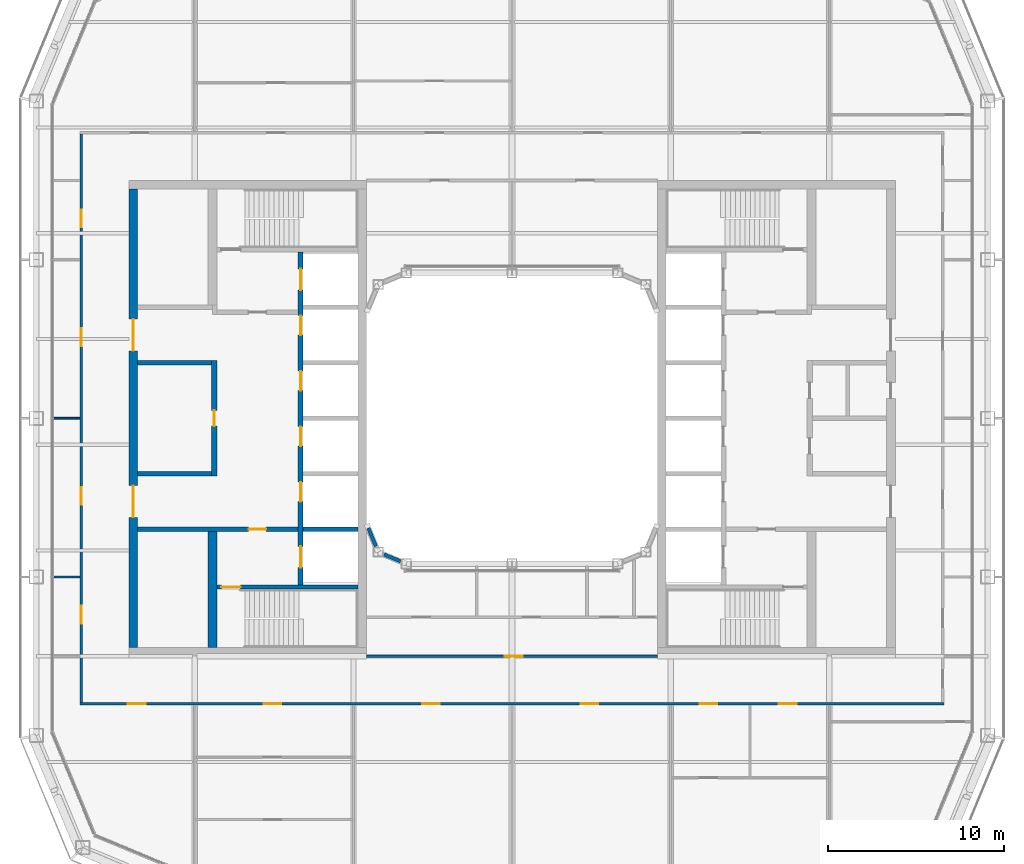
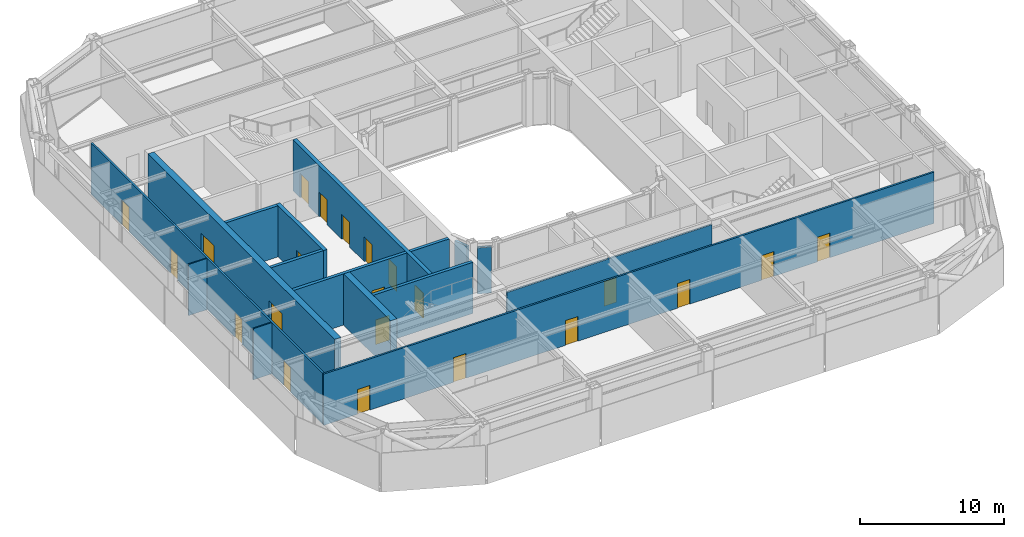
# One storey, part 12 of 19: 22 doors, 16 walls, 22 openings.
"""IFC4 building model written with IfcOpenShell, lengths in metres."""

from ifc_helpers import new_model, si_unit, direction, frame, frame_2d, origin, place, context, subcontext, project, spatial, rectangle, extrude, material, layer, layer_set, type_object, element, fill, save


model = new_model("IFC4")

# Units and contexts
model_context = context("Model", 3, precision=1e-05, world=origin(), true_north=direction((0.0, 1.0)))
body_context = subcontext(model_context, "Body", "Model", "MODEL_VIEW")
ifc_project = project(units=[si_unit("LENGTHUNIT", "METRE"), si_unit("AREAUNIT", "SQUARE_METRE"), si_unit("VOLUMEUNIT", "CUBIC_METRE"), si_unit("PLANEANGLEUNIT", "RADIAN"), si_unit("MASSUNIT", "GRAM", prefix="KILO")], contexts=[model_context])

# Site, building, storey
site_placement = place(None, origin())
site = spatial("IfcSite", under=ifc_project, at=site_placement, CompositionType="ELEMENT")
building_placement = place(site_placement, origin())
building = spatial("IfcBuilding", under=site, at=building_placement, Name="Siwar Civic Tower", CompositionType="ELEMENT")
storey_placement = place(building_placement, frame((0.0, 0.0, 264.699951171875)))
storey = spatial("IfcBuildingStorey", under=building, at=storey_placement, Name="L57", CompositionType="ELEMENT", Elevation=264.699951171875)

# Wall, opening, door
ifc_material_1 = material(Name="Concrete C60/75", Category="concrete")
ifc_layer_1 = layer(ifc_material_1, 0.25)
ifc_layer_set_1 = layer_set([ifc_layer_1], Name="Concrete C60/75")
wall_type_1 = type_object("IfcWallType", Name="CORE-WALL-RC250", PredefinedType="SHEAR", material=ifc_layer_set_1)
wall_1_placement = place(storey_placement, frame((-12.14990234375, -6.300048828125, 0.0), z_axis=(0.0, 0.0, 1.0), x_axis=(-1.0, 0.0, 0.0)))
wall_1 = element("IfcWall", 1, at=wall_1_placement, inside=storey, type_object=wall_type_1, Name="Core wall W", PredefinedType="SHEAR", context=body_context, shape_type="SweptSolid", body=[
    extrude(rectangle(XDim=9.10009765625, YDim=0.25, at=frame_2d((4.550048828125, 0.0))), origin(), (0.0, 0.0, 1.0), 4.35009765625),
])
opening_1_placement = place(wall_1_placement, frame((1.800048828125, 0.0, 0.0)))
opening_1 = element("IfcOpeningElement", 2, at=opening_1_placement, cuts=wall_1, Name="Opening L57-CW02", PredefinedType="OPENING", context=body_context, shape_type="SweptSolid", body=[
    extrude(rectangle(XDim=1.0, YDim=2.10009765625, at=frame_2d((0.5, 1.050048828125))), frame((0.0, 0.135009765625, 0.0), z_axis=(0.0, -1.0, 0.0), x_axis=(1.0, 0.0, 0.0)), (0.0, 0.0, 1.0), 0.27001953125),
])
ifc_material_2 = material(Name="Steel door leaf", Category="steel")
door_type_1 = type_object("IfcDoorType", Name="CORE-DOOR-FD30S", OperationType="SINGLE_SWING_LEFT", PredefinedType="DOOR", material=ifc_material_2)
door_1_placement = place(opening_1_placement, origin())
door_1 = element("IfcDoor", 3, at=door_1_placement, inside=storey, type_object=door_type_1, Name="Service lobby door L57-CW02", OperationType="SINGLE_SWING_RIGHT", OverallHeight=2.10009765625, OverallWidth=1.0, PredefinedType="DOOR", context=body_context, shape_type="SweptSolid", body=[
    extrude(rectangle(XDim=1.0, YDim=2.10009765625, at=frame_2d((0.5, 1.050048828125))), frame((0.0, 0.02490234375, 0.0), z_axis=(0.0, -1.0, 0.0), x_axis=(1.0, 0.0, 0.0)), (0.0, 0.0, 1.0), 0.050048828125),
])
fill(opening_1, door_1)

# Walls
for number, where, z_axis, x_axis, name in (
    (4, (-17.050048828125, 3.14990234375, 0.0), (0.0, 0.0, 1.0), (-1.0, 0.0, 0.0), "Core wall W"),
    (5, (-17.050048828125, -3.14990234375, 0.0), (0.0, 0.0, 1.0), (-1.0, 0.0, 0.0), "Core wall W"),
):
    element("IfcWall", number, at=place(storey_placement, frame(where, z_axis=z_axis, x_axis=x_axis)), inside=storey, type_object=wall_type_1, Name=name, PredefinedType="SHEAR", context=body_context, shape_type="SweptSolid", body=[
        extrude(rectangle(XDim=4.199951171875, YDim=0.25, at=frame_2d((2.10009765625, 0.0))), origin(), (0.0, 0.0, 1.0), 4.35009765625),
    ])
wall_2_placement = place(storey_placement, frame((-8.75, -6.300048828125, 0.0), z_axis=(0.0, 0.0, 1.0), x_axis=(-1.0, 0.0, 0.0)))
element("IfcWall", 6, at=wall_2_placement, inside=storey, type_object=wall_type_1, Name="Core wall W", PredefinedType="SHEAR", context=body_context, shape_type="SweptSolid", body=[
    extrude(rectangle(XDim=3.10009765625, YDim=0.25, at=frame_2d((1.550048828125, 0.0))), origin(), (0.0, 0.0, 1.0), 4.35009765625),
])

# Wall, opening, door
wall_3_placement = place(storey_placement, frame((-8.75, -9.574951171875, 0.0), z_axis=(0.0, 0.0, 1.0), x_axis=(-1.0, 0.0, 0.0)))
wall_3 = element("IfcWall", 7, at=wall_3_placement, inside=storey, type_object=wall_type_1, Name="Core wall W", PredefinedType="SHEAR", context=body_context, shape_type="SweptSolid", body=[
    extrude(rectangle(XDim=8.0, YDim=0.25, at=frame_2d((4.0, 0.0))), origin(), (0.0, 0.0, 1.0), 4.35009765625),
])
opening_2_placement = place(wall_3_placement, frame((6.64990234375, 0.0, 0.0)))
opening_2 = element("IfcOpeningElement", 8, at=opening_2_placement, cuts=wall_3, Name="Opening L57-CW04", PredefinedType="OPENING", context=body_context, shape_type="SweptSolid", body=[
    extrude(rectangle(XDim=1.10009765625, YDim=2.10009765625, at=frame_2d((0.550048828125, 1.050048828125))), frame((0.0, 0.135009765625, 0.0), z_axis=(0.0, -1.0, 0.0), x_axis=(1.0, 0.0, 0.0)), (0.0, 0.0, 1.0), 0.27001953125),
])
ifc_material_3 = material(Name="Steel door leaf", Category="steel")
door_type_2 = type_object("IfcDoorType", Name="CORE-DOOR-FD60S", OperationType="SINGLE_SWING_LEFT", PredefinedType="DOOR", material=ifc_material_3)
door_2_placement = place(opening_2_placement, origin())
door_2 = element("IfcDoor", 9, at=door_2_placement, inside=storey, type_object=door_type_2, Name="Stair door L57-CW04", OperationType="SINGLE_SWING_LEFT", OverallHeight=2.10009765625, OverallWidth=1.10009765625, PredefinedType="DOOR", context=body_context, shape_type="SweptSolid", body=[
    extrude(rectangle(XDim=1.10009765625, YDim=2.10009765625, at=frame_2d((0.550048828125, 1.050048828125))), frame((0.0, 0.02490234375, 0.0), z_axis=(0.0, -1.0, 0.0), x_axis=(1.0, 0.0, 0.0)), (0.0, 0.0, 1.0), 0.050048828125),
])
fill(opening_2, door_2)

# Wall, openings, doors
ifc_material_4 = material(Name="Concrete C60/75", Category="concrete")
ifc_layer_2 = layer(ifc_material_4, 0.300048828125)
ifc_layer_set_2 = layer_set([ifc_layer_2], Name="Concrete C60/75")
wall_type_2 = type_object("IfcWallType", Name="CORE-WALL-RC300", PredefinedType="SHEAR", material=ifc_layer_set_2)
wall_4_placement = place(storey_placement, frame((-12.0, -9.449951171875, 0.0), z_axis=(0.0, 0.0, 1.0), x_axis=(0.0, 1.0, 0.0)))
wall_4 = element("IfcWall", 10, at=wall_4_placement, inside=storey, type_object=wall_type_2, Name="Core wall W", PredefinedType="SHEAR", context=body_context, shape_type="SweptSolid", body=[
    extrude(rectangle(XDim=18.89990234375, YDim=0.300048828125, at=frame_2d((9.449951171875, 0.0))), origin(), (0.0, 0.0, 1.0), 4.35009765625),
])
opening_3_placement = place(wall_4_placement, frame((4.72509765625, 0.0, 0.0)))
opening_3 = element("IfcOpeningElement", 11, at=opening_3_placement, cuts=wall_4, Name="Opening L57-CW07", PredefinedType="OPENING", context=body_context, shape_type="SweptSolid", body=[
    extrude(rectangle(XDim=1.10009765625, YDim=2.10009765625, at=frame_2d((0.550048828125, 1.050048828125))), frame((0.0, 0.16015625, 0.0), z_axis=(0.0, -1.0, 0.0), x_axis=(1.0, 0.0, 0.0)), (0.0, 0.0, 1.0), 0.320068359375),
])
opening_4_placement = place(wall_4_placement, frame((7.875, 0.0, 0.0)))
opening_4 = element("IfcOpeningElement", 12, at=opening_4_placement, cuts=wall_4, Name="Opening L57-CW08", PredefinedType="OPENING", context=body_context, shape_type="SweptSolid", body=[
    extrude(rectangle(XDim=1.10009765625, YDim=2.10009765625, at=frame_2d((0.550048828125, 1.050048828125))), frame((0.0, 0.16015625, 0.0), z_axis=(0.0, -1.0, 0.0), x_axis=(1.0, 0.0, 0.0)), (0.0, 0.0, 1.0), 0.320068359375),
])
opening_5_placement = place(wall_4_placement, frame((11.02490234375, 0.0, 0.0)))
opening_5 = element("IfcOpeningElement", 13, at=opening_5_placement, cuts=wall_4, Name="Opening L57-CW09", PredefinedType="OPENING", context=body_context, shape_type="SweptSolid", body=[
    extrude(rectangle(XDim=1.10009765625, YDim=2.10009765625, at=frame_2d((0.550048828125, 1.050048828125))), frame((0.0, 0.16015625, 0.0), z_axis=(0.0, -1.0, 0.0), x_axis=(1.0, 0.0, 0.0)), (0.0, 0.0, 1.0), 0.320068359375),
])
opening_6_placement = place(wall_4_placement, frame((14.175048828125, 0.0, 0.0)))
opening_6 = element("IfcOpeningElement", 14, at=opening_6_placement, cuts=wall_4, Name="Opening L57-CW10", PredefinedType="OPENING", context=body_context, shape_type="SweptSolid", body=[
    extrude(rectangle(XDim=1.10009765625, YDim=2.10009765625, at=frame_2d((0.550048828125, 1.050048828125))), frame((0.0, 0.16015625, 0.0), z_axis=(0.0, -1.0, 0.0), x_axis=(1.0, 0.0, 0.0)), (0.0, 0.0, 1.0), 0.320068359375),
])
opening_7_placement = place(wall_4_placement, frame((16.72509765625, 0.0, 0.0)))
opening_7 = element("IfcOpeningElement", 15, at=opening_7_placement, cuts=wall_4, Name="Opening L57-CW11", PredefinedType="OPENING", context=body_context, shape_type="SweptSolid", body=[
    extrude(rectangle(XDim=1.199951171875, YDim=2.10009765625, at=frame_2d((0.60009765625, 1.050048828125))), frame((0.0, 0.16015625, 0.0), z_axis=(0.0, -1.0, 0.0), x_axis=(1.0, 0.0, 0.0)), (0.0, 0.0, 1.0), 0.320068359375),
])
opening_8_placement = place(wall_4_placement, frame((0.97509765625, 0.0, 0.0)))
opening_8 = element("IfcOpeningElement", 16, at=opening_8_placement, cuts=wall_4, Name="Opening L57-CW12", PredefinedType="OPENING", context=body_context, shape_type="SweptSolid", body=[
    extrude(rectangle(XDim=1.199951171875, YDim=2.10009765625, at=frame_2d((0.60009765625, 1.050048828125))), frame((0.0, 0.16015625, 0.0), z_axis=(0.0, -1.0, 0.0), x_axis=(1.0, 0.0, 0.0)), (0.0, 0.0, 1.0), 0.320068359375),
])
ifc_material_5 = material(Name="Steel door leaf", Category="steel")
door_type_3 = type_object("IfcDoorType", Name="CORE-DOOR-LD", OperationType="DOUBLE_DOOR_SLIDING", PredefinedType="DOOR", material=ifc_material_5)
door_3_placement = place(opening_3_placement, origin())
door_3 = element("IfcDoor", 17, at=door_3_placement, inside=storey, type_object=door_type_3, Name="Landing door HR1 L57-CW07", OperationType="DOUBLE_DOOR_SLIDING", OverallHeight=2.10009765625, OverallWidth=1.10009765625, PredefinedType="DOOR", context=body_context, shape_type="SweptSolid", body=[
    extrude(rectangle(XDim=1.10009765625, YDim=2.10009765625, at=frame_2d((0.550048828125, 1.050048828125))), frame((0.0, 0.02490234375, 0.0), z_axis=(0.0, -1.0, 0.0), x_axis=(1.0, 0.0, 0.0)), (0.0, 0.0, 1.0), 0.050048828125),
])
fill(opening_3, door_3)
door_4_placement = place(opening_4_placement, origin())
door_4 = element("IfcDoor", 18, at=door_4_placement, inside=storey, type_object=door_type_3, Name="Landing door HR2 L57-CW08", OperationType="DOUBLE_DOOR_SLIDING", OverallHeight=2.10009765625, OverallWidth=1.10009765625, PredefinedType="DOOR", context=body_context, shape_type="SweptSolid", body=[
    extrude(rectangle(XDim=1.10009765625, YDim=2.10009765625, at=frame_2d((0.550048828125, 1.050048828125))), frame((0.0, 0.02490234375, 0.0), z_axis=(0.0, -1.0, 0.0), x_axis=(1.0, 0.0, 0.0)), (0.0, 0.0, 1.0), 0.050048828125),
])
fill(opening_4, door_4)
door_5_placement = place(opening_5_placement, origin())
door_5 = element("IfcDoor", 19, at=door_5_placement, inside=storey, type_object=door_type_3, Name="Landing door HR3 L57-CW09", OperationType="DOUBLE_DOOR_SLIDING", OverallHeight=2.10009765625, OverallWidth=1.10009765625, PredefinedType="DOOR", context=body_context, shape_type="SweptSolid", body=[
    extrude(rectangle(XDim=1.10009765625, YDim=2.10009765625, at=frame_2d((0.550048828125, 1.050048828125))), frame((0.0, 0.02490234375, 0.0), z_axis=(0.0, -1.0, 0.0), x_axis=(1.0, 0.0, 0.0)), (0.0, 0.0, 1.0), 0.050048828125),
])
fill(opening_5, door_5)
door_6_placement = place(opening_6_placement, origin())
door_6 = element("IfcDoor", 20, at=door_6_placement, inside=storey, type_object=door_type_3, Name="Landing door HR4 L57-CW10", OperationType="DOUBLE_DOOR_SLIDING", OverallHeight=2.10009765625, OverallWidth=1.10009765625, PredefinedType="DOOR", context=body_context, shape_type="SweptSolid", body=[
    extrude(rectangle(XDim=1.10009765625, YDim=2.10009765625, at=frame_2d((0.550048828125, 1.050048828125))), frame((0.0, 0.02490234375, 0.0), z_axis=(0.0, -1.0, 0.0), x_axis=(1.0, 0.0, 0.0)), (0.0, 0.0, 1.0), 0.050048828125),
])
fill(opening_6, door_6)
ifc_material_6 = material(Name="Steel door leaf", Category="steel")
door_type_4 = type_object("IfcDoorType", Name="CORE-DOOR-LDW", OperationType="DOUBLE_DOOR_SLIDING", PredefinedType="DOOR", material=ifc_material_6)
door_7_placement = place(opening_7_placement, origin())
door_7 = element("IfcDoor", 21, at=door_7_placement, inside=storey, type_object=door_type_4, Name="Landing door FF1 L57-CW11", OperationType="DOUBLE_DOOR_SLIDING", OverallHeight=2.10009765625, OverallWidth=1.199951171875, PredefinedType="DOOR", context=body_context, shape_type="SweptSolid", body=[
    extrude(rectangle(XDim=1.199951171875, YDim=2.10009765625, at=frame_2d((0.60009765625, 1.050048828125))), frame((0.0, 0.02490234375, 0.0), z_axis=(0.0, -1.0, 0.0), x_axis=(1.0, 0.0, 0.0)), (0.0, 0.0, 1.0), 0.050048828125),
])
fill(opening_7, door_7)
door_8_placement = place(opening_8_placement, origin())
door_8 = element("IfcDoor", 22, at=door_8_placement, inside=storey, type_object=door_type_4, Name="Landing door SV1 L57-CW12", OperationType="DOUBLE_DOOR_SLIDING", OverallHeight=2.10009765625, OverallWidth=1.199951171875, PredefinedType="DOOR", context=body_context, shape_type="SweptSolid", body=[
    extrude(rectangle(XDim=1.199951171875, YDim=2.10009765625, at=frame_2d((0.60009765625, 1.050048828125))), frame((0.0, 0.02490234375, 0.0), z_axis=(0.0, -1.0, 0.0), x_axis=(1.0, 0.0, 0.0)), (0.0, 0.0, 1.0), 0.050048828125),
])
fill(opening_8, door_8)

# Wall, opening, door
wall_5_placement = place(storey_placement, frame((-16.89990234375, -3.27490234375, 0.0), z_axis=(0.0, 0.0, 1.0), x_axis=(0.0, 1.0, 0.0)))
wall_5 = element("IfcWall", 23, at=wall_5_placement, inside=storey, type_object=wall_type_2, Name="Core wall W", PredefinedType="SHEAR", context=body_context, shape_type="SweptSolid", body=[
    extrude(rectangle(XDim=6.5498046875, YDim=0.300048828125, at=frame_2d((3.27490234375, 0.0))), origin(), (0.0, 0.0, 1.0), 4.35009765625),
])
opening_9_placement = place(wall_5_placement, frame((2.824951171875, 0.0, 0.0)))
opening_9 = element("IfcOpeningElement", 24, at=opening_9_placement, cuts=wall_5, Name="Opening L57-CW13", PredefinedType="OPENING", context=body_context, shape_type="SweptSolid", body=[
    extrude(rectangle(XDim=0.89990234375, YDim=2.10009765625, at=frame_2d((0.449951171875, 1.050048828125))), frame((0.0, 0.16015625, 0.0), z_axis=(0.0, -1.0, 0.0), x_axis=(1.0, 0.0, 0.0)), (0.0, 0.0, 1.0), 0.320068359375),
])
ifc_material_7 = material(Name="Steel door leaf", Category="steel")
door_type_5 = type_object("IfcDoorType", Name="CORE-DOOR-ROOM", OperationType="SINGLE_SWING_LEFT", PredefinedType="DOOR", material=ifc_material_7)
door_9_placement = place(opening_9_placement, origin())
door_9 = element("IfcDoor", 25, at=door_9_placement, inside=storey, type_object=door_type_5, Name="Core room door L57-CW13", OperationType="SINGLE_SWING_RIGHT", OverallHeight=2.10009765625, OverallWidth=0.89990234375, PredefinedType="DOOR", context=body_context, shape_type="SweptSolid", body=[
    extrude(rectangle(XDim=0.89990234375, YDim=2.10009765625, at=frame_2d((0.449951171875, 1.050048828125))), frame((0.0, 0.02490234375, 0.0), z_axis=(0.0, -1.0, 0.0), x_axis=(1.0, 0.0, 0.0)), (0.0, 0.0, 1.0), 0.050048828125),
])
fill(opening_9, door_9)

# Wall, openings, doors
ifc_material_8 = material(Name="Concrete C60/75", Category="concrete")
ifc_layer_3 = layer(ifc_material_8, 0.5)
ifc_layer_set_3 = layer_set([ifc_layer_3], Name="Concrete C60/75")
wall_type_3 = type_object("IfcWallType", Name="CORE-WALL-RC500", PredefinedType="SHEAR", material=ifc_layer_set_3)
wall_6_placement = place(storey_placement, frame((-21.5, -13.0, 0.0), z_axis=(0.0, 0.0, 1.0), x_axis=(0.0, 1.0, 0.0)))
wall_6 = element("IfcWall", 26, at=wall_6_placement, inside=storey, type_object=wall_type_3, Name="Core wall W", PredefinedType="SHEAR", context=body_context, shape_type="SweptSolid", body=[
    extrude(rectangle(XDim=26.0, YDim=0.5, at=frame_2d((13.0, 0.0))), origin(), (0.0, 0.0, 1.0), 4.35009765625),
])
opening_10_placement = place(wall_6_placement, frame((16.824951171875, 0.0, 0.0)))
opening_10 = element("IfcOpeningElement", 27, at=opening_10_placement, cuts=wall_6, Name="Opening L57-CW05", PredefinedType="OPENING", context=body_context, shape_type="SweptSolid", body=[
    extrude(rectangle(XDim=1.800048828125, YDim=2.10009765625, at=frame_2d((0.89990234375, 1.050048828125))), frame((0.0, 0.260009765625, 0.0), z_axis=(0.0, -1.0, 0.0), x_axis=(1.0, 0.0, 0.0)), (0.0, 0.0, 1.0), 0.52001953125),
])
opening_11_placement = place(wall_6_placement, frame((7.375, 0.0, 0.0)))
opening_11 = element("IfcOpeningElement", 28, at=opening_11_placement, cuts=wall_6, Name="Opening L57-CW06", PredefinedType="OPENING", context=body_context, shape_type="SweptSolid", body=[
    extrude(rectangle(XDim=1.800048828125, YDim=2.10009765625, at=frame_2d((0.89990234375, 1.050048828125))), frame((0.0, 0.260009765625, 0.0), z_axis=(0.0, -1.0, 0.0), x_axis=(1.0, 0.0, 0.0)), (0.0, 0.0, 1.0), 0.52001953125),
])
ifc_material_9 = material(Name="Steel door leaf", Category="steel")
door_type_6 = type_object("IfcDoorType", Name="CORE-DOOR-PORT", OperationType="DOUBLE_DOOR_DOUBLE_SWING", PredefinedType="DOOR", material=ifc_material_9)
door_10_placement = place(opening_10_placement, origin())
door_10 = element("IfcDoor", 29, at=door_10_placement, inside=storey, type_object=door_type_6, Name="Core entrance door L57-CW05", OperationType="DOUBLE_DOOR_DOUBLE_SWING", OverallHeight=2.10009765625, OverallWidth=1.800048828125, PredefinedType="DOOR", context=body_context, shape_type="SweptSolid", body=[
    extrude(rectangle(XDim=1.800048828125, YDim=2.10009765625, at=frame_2d((0.89990234375, 1.050048828125))), frame((0.0, 0.02490234375, 0.0), z_axis=(0.0, -1.0, 0.0), x_axis=(1.0, 0.0, 0.0)), (0.0, 0.0, 1.0), 0.050048828125),
])
fill(opening_10, door_10)
door_11_placement = place(opening_11_placement, origin())
door_11 = element("IfcDoor", 30, at=door_11_placement, inside=storey, type_object=door_type_6, Name="Core entrance door L57-CW06", OperationType="DOUBLE_DOOR_DOUBLE_SWING", OverallHeight=2.10009765625, OverallWidth=1.800048828125, PredefinedType="DOOR", context=body_context, shape_type="SweptSolid", body=[
    extrude(rectangle(XDim=1.800048828125, YDim=2.10009765625, at=frame_2d((0.89990234375, 1.050048828125))), frame((0.0, 0.02490234375, 0.0), z_axis=(0.0, -1.0, 0.0), x_axis=(1.0, 0.0, 0.0)), (0.0, 0.0, 1.0), 0.050048828125),
])
fill(opening_11, door_11)

# Wall
wall_7_placement = place(storey_placement, frame((-17.0, -13.0, 0.0), z_axis=(0.0, 0.0, 1.0), x_axis=(0.0, 1.0, 0.0)))
element("IfcWall", 31, at=wall_7_placement, inside=storey, type_object=wall_type_3, Name="Core wall W", PredefinedType="SHEAR", context=body_context, shape_type="SweptSolid", body=[
    extrude(rectangle(XDim=6.574951171875, YDim=0.5, at=frame_2d((3.28759765625, 0.0))), origin(), (0.0, 0.0, 1.0), 4.35009765625),
])

# Wall, openings, doors
ifc_material_10 = material(Name="Gypsum board on steel studs", Category="steel")
ifc_layer_4 = layer(ifc_material_10, 0.14990234375)
ifc_layer_set_4 = layer_set([ifc_layer_4], Name="Gypsum board on steel studs")
wall_type_4 = type_object("IfcWallType", Name="CORRIDOR PARTITION 150 EI 30", PredefinedType="PARTITIONING", material=ifc_layer_set_4)
wall_8_placement = place(storey_placement, frame((-24.52490234375, -16.199951171875, 0.0), z_axis=(0.0, 0.0, 1.0), x_axis=(1.0, 0.0, 0.0)))
wall_8 = element("IfcWall", 32, at=wall_8_placement, inside=storey, type_object=wall_type_4, Name="L57/wall/P05", PredefinedType="PARTITIONING", context=body_context, shape_type="SweptSolid", body=[
    extrude(rectangle(XDim=49.0498046875, YDim=0.14990234375, at=frame_2d((24.52490234375, 0.0))), origin(), (0.0, 0.0, 1.0), 4.35009765625),
])
opening_12_placement = place(wall_8_placement, frame((10.425048828125, 0.0, 0.0)))
opening_12 = element("IfcOpeningElement", 33, at=opening_12_placement, cuts=wall_8, Name="Opening D1", PredefinedType="OPENING", context=body_context, shape_type="SweptSolid", body=[
    extrude(rectangle(XDim=1.0, YDim=2.10009765625, at=frame_2d((0.5, 1.050048828125))), frame((0.0, 0.0849609375, 0.0), z_axis=(0.0, -1.0, 0.0), x_axis=(1.0, 0.0, 0.0)), (0.0, 0.0, 1.0), 0.169921875),
])
opening_13_placement = place(wall_8_placement, frame((19.425048828125, 0.0, 0.0)))
opening_13 = element("IfcOpeningElement", 34, at=opening_13_placement, cuts=wall_8, Name="Opening D1", PredefinedType="OPENING", context=body_context, shape_type="SweptSolid", body=[
    extrude(rectangle(XDim=1.0, YDim=2.10009765625, at=frame_2d((0.5, 1.050048828125))), frame((0.0, 0.0849609375, 0.0), z_axis=(0.0, -1.0, 0.0), x_axis=(1.0, 0.0, 0.0)), (0.0, 0.0, 1.0), 0.169921875),
])
opening_14_placement = place(wall_8_placement, frame((28.425048828125, 0.0, 0.0)))
opening_14 = element("IfcOpeningElement", 35, at=opening_14_placement, cuts=wall_8, Name="Opening D1", PredefinedType="OPENING", context=body_context, shape_type="SweptSolid", body=[
    extrude(rectangle(XDim=1.0, YDim=2.10009765625, at=frame_2d((0.5, 1.050048828125))), frame((0.0, 0.0849609375, 0.0), z_axis=(0.0, -1.0, 0.0), x_axis=(1.0, 0.0, 0.0)), (0.0, 0.0, 1.0), 0.169921875),
])
opening_15_placement = place(wall_8_placement, frame((35.175048828125, 0.0, 0.0)))
opening_15 = element("IfcOpeningElement", 36, at=opening_15_placement, cuts=wall_8, Name="Opening D1", PredefinedType="OPENING", context=body_context, shape_type="SweptSolid", body=[
    extrude(rectangle(XDim=1.0, YDim=2.10009765625, at=frame_2d((0.5, 1.050048828125))), frame((0.0, 0.0849609375, 0.0), z_axis=(0.0, -1.0, 0.0), x_axis=(1.0, 0.0, 0.0)), (0.0, 0.0, 1.0), 0.169921875),
])
opening_16_placement = place(wall_8_placement, frame((39.675048828125, 0.0, 0.0)))
opening_16 = element("IfcOpeningElement", 37, at=opening_16_placement, cuts=wall_8, Name="Opening D1", PredefinedType="OPENING", context=body_context, shape_type="SweptSolid", body=[
    extrude(rectangle(XDim=1.0, YDim=2.10009765625, at=frame_2d((0.5, 1.050048828125))), frame((0.0, 0.0849609375, 0.0), z_axis=(0.0, -1.0, 0.0), x_axis=(1.0, 0.0, 0.0)), (0.0, 0.0, 1.0), 0.169921875),
])
opening_17_placement = place(wall_8_placement, frame((2.72509765625, 0.0, 0.0)))
opening_17 = element("IfcOpeningElement", 38, at=opening_17_placement, cuts=wall_8, Name="Opening D1", PredefinedType="OPENING", context=body_context, shape_type="SweptSolid", body=[
    extrude(rectangle(XDim=1.0, YDim=2.10009765625, at=frame_2d((0.5, 1.050048828125))), frame((0.0, 0.0849609375, 0.0), z_axis=(0.0, -1.0, 0.0), x_axis=(1.0, 0.0, 0.0)), (0.0, 0.0, 1.0), 0.169921875),
])
ifc_material_11 = material(Name="Timber, painted", Category="wood")
door_type_7 = type_object("IfcDoorType", Name="DOOR 1000 X 2100 FD30", OperationType="SINGLE_SWING_LEFT", PredefinedType="DOOR", material=ifc_material_11)
door_12_placement = place(opening_12_placement, origin())
door_12 = element("IfcDoor", 39, at=door_12_placement, inside=storey, type_object=door_type_7, Name="L57-D07", OperationType="SINGLE_SWING_LEFT", OverallHeight=2.10009765625, OverallWidth=1.0, PredefinedType="DOOR", context=body_context, shape_type="SweptSolid", body=[
    extrude(rectangle(XDim=1.0, YDim=2.10009765625, at=frame_2d((0.5, 1.050048828125))), frame((0.0, 0.02490234375, 0.0), z_axis=(0.0, -1.0, 0.0), x_axis=(1.0, 0.0, 0.0)), (0.0, 0.0, 1.0), 0.050048828125),
])
fill(opening_12, door_12)
door_13_placement = place(opening_13_placement, origin())
door_13 = element("IfcDoor", 40, at=door_13_placement, inside=storey, type_object=door_type_7, Name="L57-D10", OperationType="SINGLE_SWING_RIGHT", OverallHeight=2.10009765625, OverallWidth=1.0, PredefinedType="DOOR", context=body_context, shape_type="SweptSolid", body=[
    extrude(rectangle(XDim=1.0, YDim=2.10009765625, at=frame_2d((0.5, 1.050048828125))), frame((0.0, 0.02490234375, 0.0), z_axis=(0.0, -1.0, 0.0), x_axis=(1.0, 0.0, 0.0)), (0.0, 0.0, 1.0), 0.050048828125),
])
fill(opening_13, door_13)
door_14_placement = place(opening_14_placement, origin())
door_14 = element("IfcDoor", 41, at=door_14_placement, inside=storey, type_object=door_type_7, Name="L57-D11", OperationType="SINGLE_SWING_LEFT", OverallHeight=2.10009765625, OverallWidth=1.0, PredefinedType="DOOR", context=body_context, shape_type="SweptSolid", body=[
    extrude(rectangle(XDim=1.0, YDim=2.10009765625, at=frame_2d((0.5, 1.050048828125))), frame((0.0, 0.02490234375, 0.0), z_axis=(0.0, -1.0, 0.0), x_axis=(1.0, 0.0, 0.0)), (0.0, 0.0, 1.0), 0.050048828125),
])
fill(opening_14, door_14)
door_15_placement = place(opening_15_placement, origin())
door_15 = element("IfcDoor", 42, at=door_15_placement, inside=storey, type_object=door_type_7, Name="L57-D12", OperationType="SINGLE_SWING_RIGHT", OverallHeight=2.10009765625, OverallWidth=1.0, PredefinedType="DOOR", context=body_context, shape_type="SweptSolid", body=[
    extrude(rectangle(XDim=1.0, YDim=2.10009765625, at=frame_2d((0.5, 1.050048828125))), frame((0.0, 0.02490234375, 0.0), z_axis=(0.0, -1.0, 0.0), x_axis=(1.0, 0.0, 0.0)), (0.0, 0.0, 1.0), 0.050048828125),
])
fill(opening_15, door_15)
door_16_placement = place(opening_16_placement, origin())
door_16 = element("IfcDoor", 43, at=door_16_placement, inside=storey, type_object=door_type_7, Name="L57-D13", OperationType="SINGLE_SWING_LEFT", OverallHeight=2.10009765625, OverallWidth=1.0, PredefinedType="DOOR", context=body_context, shape_type="SweptSolid", body=[
    extrude(rectangle(XDim=1.0, YDim=2.10009765625, at=frame_2d((0.5, 1.050048828125))), frame((0.0, 0.02490234375, 0.0), z_axis=(0.0, -1.0, 0.0), x_axis=(1.0, 0.0, 0.0)), (0.0, 0.0, 1.0), 0.050048828125),
])
fill(opening_16, door_16)
door_17_placement = place(opening_17_placement, origin())
door_17 = element("IfcDoor", 44, at=door_17_placement, inside=storey, type_object=door_type_7, Name="L57-D18", OperationType="SINGLE_SWING_RIGHT", OverallHeight=2.10009765625, OverallWidth=1.0, PredefinedType="DOOR", context=body_context, shape_type="SweptSolid", body=[
    extrude(rectangle(XDim=1.0, YDim=2.10009765625, at=frame_2d((0.5, 1.050048828125))), frame((0.0, 0.02490234375, 0.0), z_axis=(0.0, -1.0, 0.0), x_axis=(1.0, 0.0, 0.0)), (0.0, 0.0, 1.0), 0.050048828125),
])
fill(opening_17, door_17)

# Wall, opening, door
wall_9_placement = place(storey_placement, frame((-8.25, -13.5, 0.0), z_axis=(0.0, 0.0, 1.0), x_axis=(1.0, 0.0, 0.0)))
wall_9 = element("IfcWall", 45, at=wall_9_placement, inside=storey, type_object=wall_type_4, Name="L57/wall/P08", PredefinedType="PARTITIONING", context=body_context, shape_type="SweptSolid", body=[
    extrude(rectangle(XDim=16.5, YDim=0.14990234375, at=frame_2d((8.25, 0.0))), origin(), (0.0, 0.0, 1.0), 3.949951171875),
])
opening_18_placement = place(wall_9_placement, frame((7.85009765625, 0.0, 0.0)))
opening_18 = element("IfcOpeningElement", 46, at=opening_18_placement, cuts=wall_9, Name="Opening D1", PredefinedType="OPENING", context=body_context, shape_type="SweptSolid", body=[
    extrude(rectangle(XDim=1.0, YDim=2.10009765625, at=frame_2d((0.5, 1.050048828125))), frame((0.0, 0.0849609375, 0.0), z_axis=(0.0, -1.0, 0.0), x_axis=(1.0, 0.0, 0.0)), (0.0, 0.0, 1.0), 0.169921875),
])
door_18_placement = place(opening_18_placement, origin())
door_18 = element("IfcDoor", 47, at=door_18_placement, inside=storey, type_object=door_type_7, Name="L57-D31", OperationType="SINGLE_SWING_LEFT", OverallHeight=2.10009765625, OverallWidth=1.0, PredefinedType="DOOR", context=body_context, shape_type="SweptSolid", body=[
    extrude(rectangle(XDim=1.0, YDim=2.10009765625, at=frame_2d((0.5, 1.050048828125))), frame((0.0, 0.02490234375, 0.0), z_axis=(0.0, -1.0, 0.0), x_axis=(1.0, 0.0, 0.0)), (0.0, 0.0, 1.0), 0.050048828125),
])
fill(opening_18, door_18)

# Wall, openings, doors
wall_10_placement = place(storey_placement, frame((-24.449951171875, -16.125, 0.0), z_axis=(0.0, 0.0, 1.0), x_axis=(0.0, 1.0, 0.0)))
wall_10 = element("IfcWall", 48, at=wall_10_placement, inside=storey, type_object=wall_type_4, Name="L57/wall/P24", PredefinedType="PARTITIONING", context=body_context, shape_type="SweptSolid", body=[
    extrude(rectangle(XDim=32.25, YDim=0.14990234375, at=frame_2d((16.125, 0.0))), origin(), (0.0, 0.0, 1.0), 4.35009765625),
])
opening_19_placement = place(wall_10_placement, frame((4.47509765625, 0.0, 0.0)))
opening_19 = element("IfcOpeningElement", 49, at=opening_19_placement, cuts=wall_10, Name="Opening D1", PredefinedType="OPENING", context=body_context, shape_type="SweptSolid", body=[
    extrude(rectangle(XDim=1.0, YDim=2.10009765625, at=frame_2d((0.5, 1.050048828125))), frame((0.0, 0.0849609375, 0.0), z_axis=(0.0, -1.0, 0.0), x_axis=(1.0, 0.0, 0.0)), (0.0, 0.0, 1.0), 0.169921875),
])
opening_20_placement = place(wall_10_placement, frame((11.22509765625, 0.0, 0.0)))
opening_20 = element("IfcOpeningElement", 50, at=opening_20_placement, cuts=wall_10, Name="Opening D1", PredefinedType="OPENING", context=body_context, shape_type="SweptSolid", body=[
    extrude(rectangle(XDim=1.0, YDim=2.10009765625, at=frame_2d((0.5, 1.050048828125))), frame((0.0, 0.0849609375, 0.0), z_axis=(0.0, -1.0, 0.0), x_axis=(1.0, 0.0, 0.0)), (0.0, 0.0, 1.0), 0.169921875),
])
opening_21_placement = place(wall_10_placement, frame((20.22509765625, 0.0, 0.0)))
opening_21 = element("IfcOpeningElement", 51, at=opening_21_placement, cuts=wall_10, Name="Opening D1", PredefinedType="OPENING", context=body_context, shape_type="SweptSolid", body=[
    extrude(rectangle(XDim=1.0, YDim=2.10009765625, at=frame_2d((0.5, 1.050048828125))), frame((0.0, 0.0849609375, 0.0), z_axis=(0.0, -1.0, 0.0), x_axis=(1.0, 0.0, 0.0)), (0.0, 0.0, 1.0), 0.169921875),
])
opening_22_placement = place(wall_10_placement, frame((26.97509765625, 0.0, 0.0)))
opening_22 = element("IfcOpeningElement", 52, at=opening_22_placement, cuts=wall_10, Name="Opening D1", PredefinedType="OPENING", context=body_context, shape_type="SweptSolid", body=[
    extrude(rectangle(XDim=1.0, YDim=2.10009765625, at=frame_2d((0.5, 1.050048828125))), frame((0.0, 0.0849609375, 0.0), z_axis=(0.0, -1.0, 0.0), x_axis=(1.0, 0.0, 0.0)), (0.0, 0.0, 1.0), 0.169921875),
])
door_19_placement = place(opening_19_placement, origin())
door_19 = element("IfcDoor", 53, at=door_19_placement, inside=storey, type_object=door_type_7, Name="L57-D21", OperationType="SINGLE_SWING_LEFT", OverallHeight=2.10009765625, OverallWidth=1.0, PredefinedType="DOOR", context=body_context, shape_type="SweptSolid", body=[
    extrude(rectangle(XDim=1.0, YDim=2.10009765625, at=frame_2d((0.5, 1.050048828125))), frame((0.0, 0.02490234375, 0.0), z_axis=(0.0, -1.0, 0.0), x_axis=(1.0, 0.0, 0.0)), (0.0, 0.0, 1.0), 0.050048828125),
])
fill(opening_19, door_19)
door_20_placement = place(opening_20_placement, origin())
door_20 = element("IfcDoor", 54, at=door_20_placement, inside=storey, type_object=door_type_7, Name="L57-D22", OperationType="SINGLE_SWING_RIGHT", OverallHeight=2.10009765625, OverallWidth=1.0, PredefinedType="DOOR", context=body_context, shape_type="SweptSolid", body=[
    extrude(rectangle(XDim=1.0, YDim=2.10009765625, at=frame_2d((0.5, 1.050048828125))), frame((0.0, 0.02490234375, 0.0), z_axis=(0.0, -1.0, 0.0), x_axis=(1.0, 0.0, 0.0)), (0.0, 0.0, 1.0), 0.050048828125),
])
fill(opening_20, door_20)
door_21_placement = place(opening_21_placement, origin())
door_21 = element("IfcDoor", 55, at=door_21_placement, inside=storey, type_object=door_type_7, Name="L57-D23", OperationType="SINGLE_SWING_LEFT", OverallHeight=2.10009765625, OverallWidth=1.0, PredefinedType="DOOR", context=body_context, shape_type="SweptSolid", body=[
    extrude(rectangle(XDim=1.0, YDim=2.10009765625, at=frame_2d((0.5, 1.050048828125))), frame((0.0, 0.02490234375, 0.0), z_axis=(0.0, -1.0, 0.0), x_axis=(1.0, 0.0, 0.0)), (0.0, 0.0, 1.0), 0.050048828125),
])
fill(opening_21, door_21)
door_22_placement = place(opening_22_placement, origin())
door_22 = element("IfcDoor", 56, at=door_22_placement, inside=storey, type_object=door_type_7, Name="L57-D24", OperationType="SINGLE_SWING_RIGHT", OverallHeight=2.10009765625, OverallWidth=1.0, PredefinedType="DOOR", context=body_context, shape_type="SweptSolid", body=[
    extrude(rectangle(XDim=1.0, YDim=2.10009765625, at=frame_2d((0.5, 1.050048828125))), frame((0.0, 0.02490234375, 0.0), z_axis=(0.0, -1.0, 0.0), x_axis=(1.0, 0.0, 0.0)), (0.0, 0.0, 1.0), 0.050048828125),
])
fill(opening_22, door_22)

# Walls
ifc_material_12 = material(Name="Aluminium clad insulated panel", Category="aluminium")
ifc_layer_5 = layer(ifc_material_12, 0.199951171875)
ifc_layer_set_5 = layer_set([ifc_layer_5], Name="Aluminium clad insulated panel")
wall_type_5 = type_object("IfcWallType", Name="ENV-WALL-WELL", PredefinedType="STANDARD", material=ifc_layer_set_5)
wall_11_placement = place(storey_placement, frame((-8.154296875, -6.23095703125, 0.0), z_axis=(0.0, 0.0, 1.0), x_axis=(0.382635994082, -0.923899180665, 0.0)))
element("IfcWall", 57, at=wall_11_placement, inside=storey, type_object=wall_type_5, Name="Light well corner wall SW1", PredefinedType="STANDARD", context=body_context, shape_type="SweptSolid", body=[
    extrude(rectangle(XDim=1.11279296875, YDim=0.199951171875, at=frame_2d((0.556396484375, 0.0))), origin(), (0.0, 0.0, 1.0), 3.91796875),
])
wall_12_placement = place(storey_placement, frame((-7.259033203125, -7.728515625, 0.0), z_axis=(0.0, 0.0, 1.0), x_axis=(0.923859650767, -0.382731427616, 0.0)))
element("IfcWall", 58, at=wall_12_placement, inside=storey, type_object=wall_type_5, Name="Light well corner wall SW2", PredefinedType="STANDARD", context=body_context, shape_type="SweptSolid", body=[
    extrude(rectangle(XDim=1.00341796875, YDim=0.199951171875, at=frame_2d((0.501708984375, 0.0))), origin(), (0.0, 0.0, 1.0), 3.91796875),
])
ifc_material_13 = material(Name="Gypsum board on steel studs", Category="steel")
ifc_layer_6 = layer(ifc_material_13, 0.10009765625)
ifc_layer_set_6 = layer_set([ifc_layer_6], Name="Gypsum board on steel studs")
wall_type_6 = type_object("IfcWallType", Name="PARTITION 100 GYPSUM", PredefinedType="PARTITIONING", material=ifc_layer_set_6)
for number, where, z_axis, x_axis, name in (
    (59, (-26.010009765625, -9.0, 0.0), (0.0, 0.0, 1.0), (1.0, 0.0, 0.0), "L57/wall/P11"),
    (60, (-26.010009765625, 0.0, 0.0), (0.0, 0.0, 1.0), (1.0, 0.0, 0.0), "L57/wall/P13"),
):
    element("IfcWall", number, at=place(storey_placement, frame(where, z_axis=z_axis, x_axis=x_axis)), inside=storey, type_object=wall_type_6, Name=name, PredefinedType="PARTITIONING", context=body_context, shape_type="SweptSolid", body=[
        extrude(rectangle(XDim=1.485107421875, YDim=0.10009765625, at=frame_2d((0.74267578125, 0.0))), origin(), (0.0, 0.0, 1.0), 4.35009765625),
    ])

save(model, "model.ifc")
